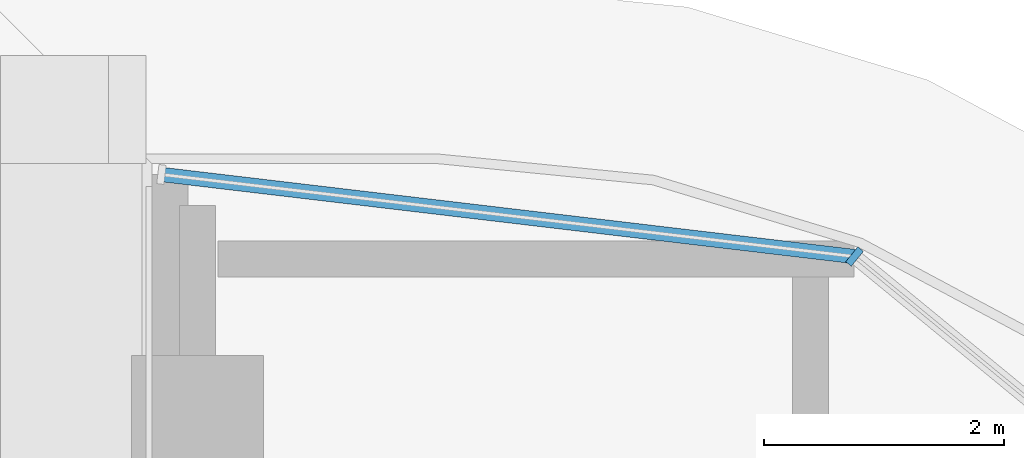
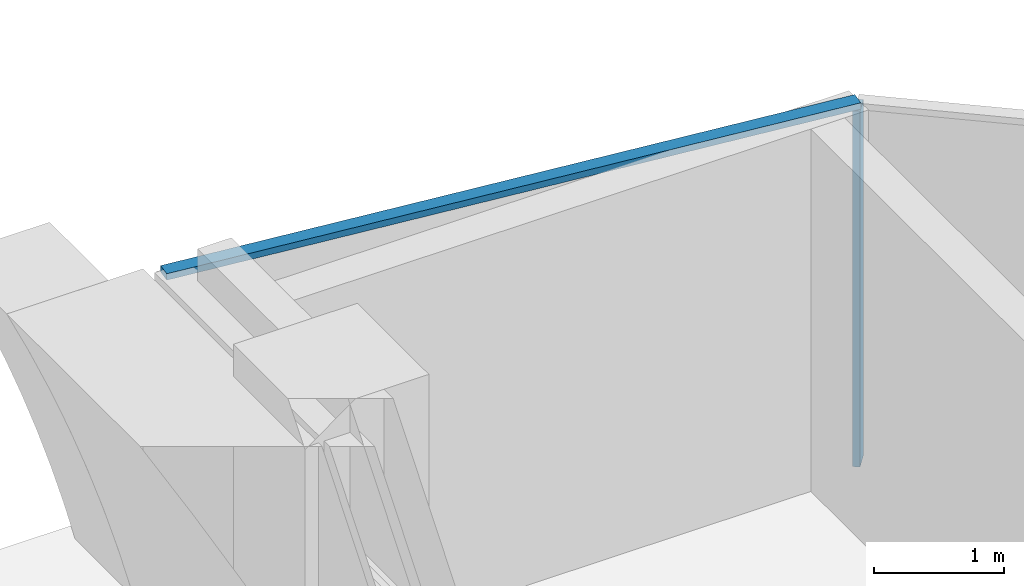
# One storey, part 5 of 26: 2 members, 1 element without a shape of its own.
"""IFC4 building model written with IfcOpenShell, lengths in metres."""

from ifc_helpers import new_model, si_unit, direction, frame, origin, origin_2d, place, context, subcontext, project, spatial, rectangle, extrude, material, material_profile, profile_set, type_object, element, aggregate, save


model = new_model("IFC4")

# Units and contexts
model_context = context("Model", 3, precision=1e-05, world=origin(), true_north=direction((0.0, 1.0)))
body_context = subcontext(model_context, "Body", "Model", "MODEL_VIEW")
ifc_project = project(units=[si_unit("LENGTHUNIT", "METRE"), si_unit("AREAUNIT", "SQUARE_METRE"), si_unit("VOLUMEUNIT", "CUBIC_METRE"), si_unit("PLANEANGLEUNIT", "RADIAN"), si_unit("MASSUNIT", "GRAM", prefix="KILO")], contexts=[model_context])

# Site, building, storey
site_placement = place(None, origin())
site = spatial("IfcSite", under=ifc_project, at=site_placement, CompositionType="ELEMENT")
building_placement = place(site_placement, origin())
building = spatial("IfcBuilding", under=site, at=building_placement, Name="Ogive Portal Towers", CompositionType="ELEMENT")
storey_placement = place(building_placement, frame((0.0, 0.0, 171.800048828125)))
storey = spatial("IfcBuildingStorey", under=building, at=storey_placement, Name="L42", CompositionType="ELEMENT", Elevation=171.800048828125)

# Curtain wall, members
ifc_material_1 = material(Name="Glass, clear low-iron insulated glazing", Category="glass")
curtain_wall_type = type_object("IfcCurtainWallType", Name="CW FRONT RIBBON 4500", PredefinedType="NOTDEFINED", material=ifc_material_1)
curtain_wall_placement = place(storey_placement, origin())
curtain_wall = element("IfcCurtainWall", 1, at=curtain_wall_placement, inside=storey, type_object=curtain_wall_type, Name="A:L42:f32:cwa", PredefinedType="NOTDEFINED")
ifc_material_2 = material(Name="Aluminium 6063 anodised", Category="aluminium")
ifc_material_profile_1 = material_profile(ifc_material_2, rectangle(XDim=0.159912109375, YDim=0.06005859375, at=origin_2d()), Name="AL 60x160")
ifc_profile_set_1 = profile_set([ifc_material_profile_1], Name="Aluminium 6063 anodised")
member_type_1 = type_object("IfcMemberType", Name="CW MULLION 60x160", PredefinedType="MULLION", material=ifc_profile_set_1)
member_1_placement = place(storey_placement, frame((90.967041015625, 40.8720703125, 0.0), z_axis=(0.0, 0.0, 1.0), x_axis=(-0.634393284164, -0.773010453363, 0.0)))
member_1 = element("IfcMember", 2, at=member_1_placement, type_object=member_type_1, Name="mullion", PredefinedType="MULLION", context=body_context, shape_type="SweptSolid", body=[
    extrude(rectangle(XDim=0.159912109375, YDim=0.06005859375, at=origin_2d()), origin(), (0.0, 0.0, 1.0), 3.33984375),
])
ifc_material_profile_2 = material_profile(ifc_material_2, rectangle(XDim=0.1201171875, YDim=0.06005859375, at=origin_2d()), Name="AL 120x60")
ifc_profile_set_2 = profile_set([ifc_material_profile_2], Name="Aluminium 6063 anodised")
member_type_2 = type_object("IfcMemberType", Name="CW TRANSOM 60x120", PredefinedType="USERDEFINED", material=ifc_profile_set_2)
member_2_placement = place(storey_placement, frame((90.967041015625, 40.8720703125, 3.369873046875), z_axis=(-0.993062802673, 0.117585160405, 0.0), x_axis=(-0.117585160405, -0.993062802673, 0.0)))
member_2 = element("IfcMember", 3, at=member_2_placement, type_object=member_type_2, Name="transom", ObjectType="TRANSOM", PredefinedType="USERDEFINED", context=body_context, shape_type="SweptSolid", body=[
    extrude(rectangle(XDim=0.1201171875, YDim=0.06005859375, at=origin_2d()), origin(), (0.0, 0.0, 1.0), 5.807373046875),
])
aggregate(curtain_wall, [member_2, member_1])

save(model, "model.ifc")
